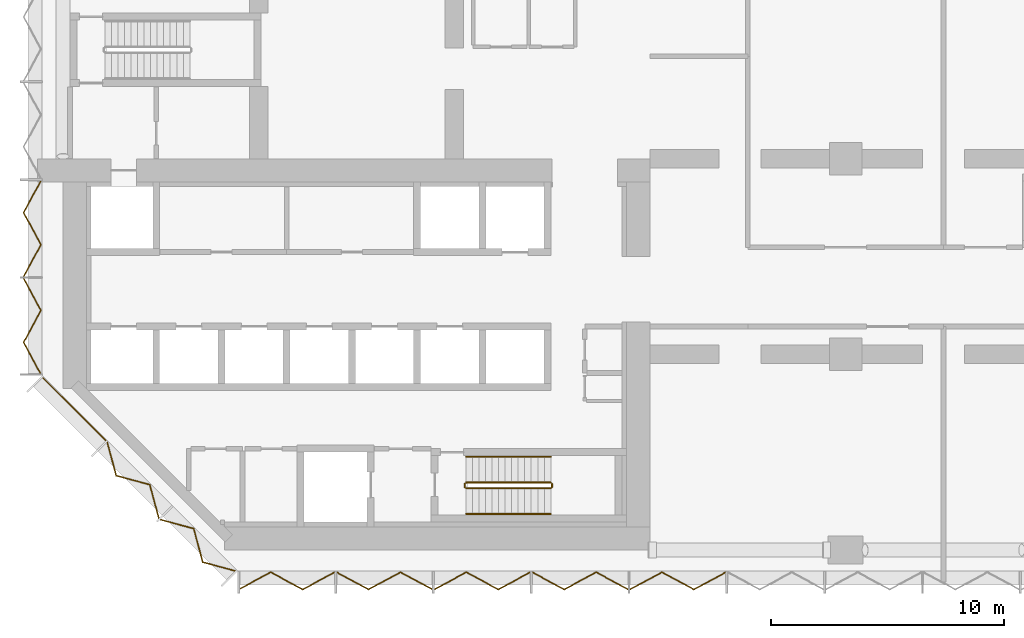
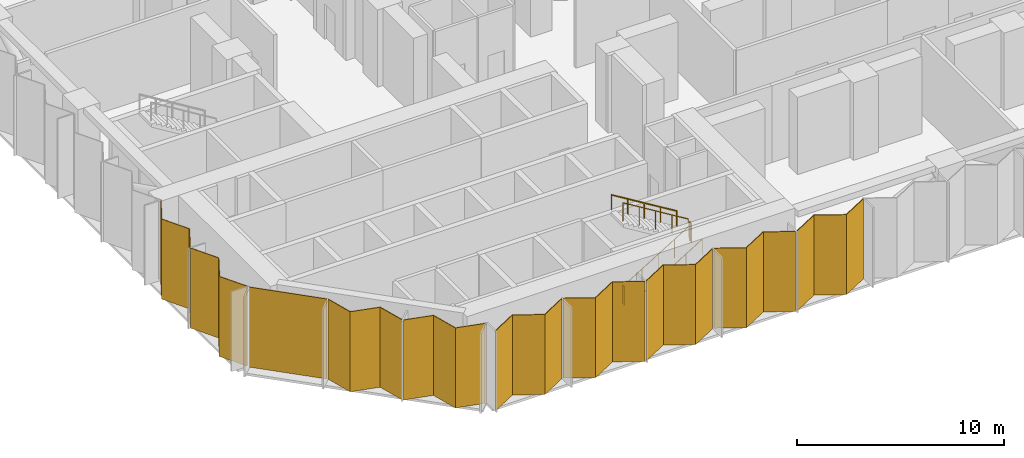
# One storey, part 14 of 18: 10 coverings, 6 railings, 3 elements without a shape of their own.
"""IFC4 building model written with IfcOpenShell, lengths in metres."""

from ifc_helpers import new_model, si_unit, direction, frame, origin, origin_2d, place, context, subcontext, project, spatial, polyline, circle, outline, extrude, material, layer, layer_set, type_object, element, aggregate, save


model = new_model("IFC4")

# Units and contexts
model_context = context("Model", 3, precision=1e-05, world=origin(), true_north=direction((0.0, 1.0)))
body_context = subcontext(model_context, "Body", "Model", "MODEL_VIEW")
ifc_project = project(units=[si_unit("LENGTHUNIT", "METRE"), si_unit("AREAUNIT", "SQUARE_METRE"), si_unit("VOLUMEUNIT", "CUBIC_METRE"), si_unit("PLANEANGLEUNIT", "RADIAN"), si_unit("MASSUNIT", "GRAM", prefix="KILO")], contexts=[model_context])

# Site, building, storey
site_placement = place(None, origin())
site = spatial("IfcSite", under=ifc_project, at=site_placement, CompositionType="ELEMENT")
building_placement = place(site_placement, origin())
building = spatial("IfcBuilding", under=site, at=building_placement, Name="Brevane Broadcast Tower", CompositionType="ELEMENT")
storey_placement = place(building_placement, frame((0.0, 0.0, 86.89990234375)))
storey = spatial("IfcBuildingStorey", under=building, at=storey_placement, Name="L20", CompositionType="ELEMENT", Elevation=86.89990234375)

# Curtain wall, coverings
ifc_material_1 = material(Name="Aluminium 6063-T6 bronze anodised", Category="aluminium")
curtain_wall_type = type_object("IfcCurtainWallType", Name="CW-3 curtain wall", PredefinedType="NOTDEFINED", material=ifc_material_1)
curtain_wall_1_placement = place(storey_placement, origin())
curtain_wall_1 = element("IfcCurtainWall", 1, at=curtain_wall_1_placement, inside=storey, type_object=curtain_wall_type, Name="CW-3 refuge louvre unit L20 south face", PredefinedType="NOTDEFINED")
ifc_material_2 = material(Name="Aluminium bronze anodised cladding", Category="aluminium")
ifc_layer = layer(ifc_material_2, 0.050048828125)
ifc_layer_set = layer_set([ifc_layer], Name="CW refuge spandrel 50")
covering_type = type_object("IfcCoveringType", Name="CW refuge spandrel 50", PredefinedType="CLADDING", material=ifc_layer_set)
covering_1_placement = place(storey_placement, frame((0.0, 0.0, -0.159912109375)))
covering_1 = element("IfcCovering", 2, at=covering_1_placement, type_object=covering_type, Name="Refuge cladding panel", PredefinedType="CLADDING", context=body_context, shape_type="SweptSolid", body=[
    extrude(outline(polyline([(7.5400390625, -1.671630859375), (7.5400390625, -1.717041015625), (8.913330078125, -0.97265625), (10.28662109375, -1.717041015625), (11.659912109375, -0.97265625), (11.659912109375, -0.92724609375), (10.28662109375, -1.671630859375), (8.913330078125, -0.92724609375), (7.5400390625, -1.671630859375)])), origin(), (0.0, 0.0, 1.0), 4.7099609375),
])
covering_2_placement = place(storey_placement, frame((0.0, 0.0, -0.159912109375)))
covering_2 = element("IfcCovering", 3, at=covering_2_placement, type_object=covering_type, Name="Refuge cladding panel", PredefinedType="CLADDING", context=body_context, shape_type="SweptSolid", body=[
    extrude(outline(polyline([(11.739990234375, -0.92724609375), (11.739990234375, -0.97265625), (13.11328125, -1.717041015625), (14.48681640625, -0.97265625), (15.860107421875, -1.717041015625), (15.860107421875, -1.671630859375), (14.48681640625, -0.92724609375), (13.11328125, -1.671630859375), (11.739990234375, -0.92724609375)])), origin(), (0.0, 0.0, 1.0), 4.7099609375),
])
covering_3_placement = place(storey_placement, frame((0.0, 0.0, -0.159912109375)))
covering_3 = element("IfcCovering", 4, at=covering_3_placement, type_object=covering_type, Name="Refuge cladding panel", PredefinedType="CLADDING", context=body_context, shape_type="SweptSolid", body=[
    extrude(outline(polyline([(15.93994140625, -1.671630859375), (15.93994140625, -1.717041015625), (17.313232421875, -0.97265625), (18.686767578125, -1.717041015625), (20.06005859375, -0.97265625), (20.06005859375, -0.92724609375), (18.686767578125, -1.671630859375), (17.313232421875, -0.92724609375), (15.93994140625, -1.671630859375)])), origin(), (0.0, 0.0, 1.0), 4.7099609375),
])
covering_4_placement = place(storey_placement, frame((0.0, 0.0, -0.159912109375)))
covering_4 = element("IfcCovering", 5, at=covering_4_placement, type_object=covering_type, Name="Refuge cladding panel", PredefinedType="CLADDING", context=body_context, shape_type="SweptSolid", body=[
    extrude(outline(polyline([(20.139892578125, -0.92724609375), (20.139892578125, -0.97265625), (21.51318359375, -1.717041015625), (22.88671875, -0.97265625), (24.260009765625, -1.717041015625), (24.260009765625, -1.671630859375), (22.88671875, -0.92724609375), (21.51318359375, -1.671630859375), (20.139892578125, -0.92724609375)])), origin(), (0.0, 0.0, 1.0), 4.7099609375),
])
covering_5_placement = place(storey_placement, frame((0.0, 0.0, -0.159912109375)))
covering_5 = element("IfcCovering", 6, at=covering_5_placement, type_object=covering_type, Name="Refuge cladding panel", PredefinedType="CLADDING", context=body_context, shape_type="SweptSolid", body=[
    extrude(outline(polyline([(24.340087890625, -1.671630859375), (24.340087890625, -1.717041015625), (25.71337890625, -0.97265625), (27.086669921875, -1.717041015625), (28.4599609375, -0.97265625), (28.4599609375, -0.92724609375), (27.086669921875, -1.671630859375), (25.71337890625, -0.92724609375), (24.340087890625, -1.671630859375)])), origin(), (0.0, 0.0, 1.0), 4.7099609375),
])
aggregate(curtain_wall_1, [covering_1, covering_2, covering_3, covering_4, covering_5])

curtain_wall_2_placement = place(storey_placement, origin())
curtain_wall_2 = element("IfcCurtainWall", 7, at=curtain_wall_2_placement, inside=storey, type_object=curtain_wall_type, Name="CW-3 refuge louvre unit L20 west face", PredefinedType="NOTDEFINED")
covering_6_placement = place(storey_placement, frame((0.0, 0.0, -0.159912109375)))
covering_6 = element("IfcCovering", 8, at=covering_6_placement, type_object=covering_type, Name="Refuge cladding panel", PredefinedType="CLADDING", context=body_context, shape_type="SweptSolid", body=[
    extrude(outline(polyline([(-0.92724609375, 15.860107421875), (-0.97265625, 15.860107421875), (-1.717041015625, 14.48681640625), (-0.97265625, 13.11328125), (-1.717041015625, 11.739990234375), (-1.671630859375, 11.739990234375), (-0.92724609375, 13.11328125), (-1.671630859375, 14.48681640625), (-0.92724609375, 15.860107421875)])), origin(), (0.0, 0.0, 1.0), 4.7099609375),
])
covering_7_placement = place(storey_placement, frame((0.0, 0.0, -0.159912109375)))
covering_7 = element("IfcCovering", 9, at=covering_7_placement, type_object=covering_type, Name="Refuge cladding panel", PredefinedType="CLADDING", context=body_context, shape_type="SweptSolid", body=[
    extrude(outline(polyline([(-1.671630859375, 11.659912109375), (-1.717041015625, 11.659912109375), (-0.97265625, 10.28662109375), (-1.717041015625, 8.913330078125), (-0.97265625, 7.5400390625), (-0.92724609375, 7.5400390625), (-1.671630859375, 8.913330078125), (-0.92724609375, 10.28662109375), (-1.671630859375, 11.659912109375)])), origin(), (0.0, 0.0, 1.0), 4.7099609375),
])
aggregate(curtain_wall_2, [covering_6, covering_7])

curtain_wall_3_placement = place(storey_placement, origin())
curtain_wall_3 = element("IfcCurtainWall", 10, at=curtain_wall_3_placement, inside=storey, type_object=curtain_wall_type, Name="CW-3 refuge louvre unit L20 south-west chamfer", PredefinedType="NOTDEFINED")
covering_8_placement = place(storey_placement, frame((0.0, 0.0, -0.159912109375)))
covering_8 = element("IfcCovering", 11, at=covering_8_placement, type_object=covering_type, Name="Refuge cladding panel", PredefinedType="CLADDING", context=body_context, shape_type="SweptSolid", body=[
    extrude(outline(polyline([(-0.892822265625, 7.450439453125), (1.8505859375, 4.70703125), (1.822265625, 4.6787109375), (-0.921142578125, 7.422119140625), (-0.892822265625, 7.450439453125)])), origin(), (0.0, 0.0, 1.0), 4.7099609375),
])
covering_9_placement = place(storey_placement, frame((0.0, 0.0, -0.159912109375)))
covering_9 = element("IfcCovering", 12, at=covering_9_placement, type_object=covering_type, Name="Refuge cladding panel", PredefinedType="CLADDING", context=body_context, shape_type="SweptSolid", body=[
    extrude(outline(polyline([(1.9091796875, 4.652587890625), (1.876708984375, 4.6201171875), (2.2646484375, 3.17919921875), (3.70556640625, 2.791015625), (4.09375, 1.35009765625), (4.126220703125, 1.3828125), (3.73828125, 2.82373046875), (2.29736328125, 3.2119140625), (1.9091796875, 4.652587890625)])), origin(), (0.0, 0.0, 1.0), 4.7099609375),
])
covering_10_placement = place(storey_placement, frame((0.0, 0.0, -0.159912109375)))
covering_10 = element("IfcCovering", 13, at=covering_10_placement, type_object=covering_type, Name="Refuge cladding panel", PredefinedType="CLADDING", context=body_context, shape_type="SweptSolid", body=[
    extrude(outline(polyline([(4.182861328125, 1.326416015625), (4.150146484375, 1.293701171875), (5.591064453125, 0.905517578125), (5.979248046875, -0.535400390625), (7.419921875, -0.92333984375), (7.45263671875, -0.890869140625), (6.01171875, -0.502685546875), (5.623779296875, 0.938232421875), (4.182861328125, 1.326416015625)])), origin(), (0.0, 0.0, 1.0), 4.7099609375),
])
aggregate(curtain_wall_3, [covering_8, covering_9, covering_10])

# Railings
ifc_material_3 = material(Name="Steel S355", Category="steel")
railing_type_1 = type_object("IfcRailingType", Name="Exit stair guard", PredefinedType="GUARDRAIL", material=ifc_material_3)
railing_1_placement = place(storey_placement, frame((17.300048828125, 2.64990234375, 0.171630859375)))
element("IfcRailing", 14, at=railing_1_placement, inside=storey, type_object=railing_type_1, Name="L20 ST-2 stair guard 1", PredefinedType="GUARDRAIL", context=body_context, shape_type="SweptSolid", body=[
    extrude(circle(Radius=0.02392578125, at=origin_2d()), frame((0.0, 0.0, 1.076171875), z_axis=(0.852850264322, 0.0, 0.5221555579), x_axis=(0.0, 1.0, 0.0)), (0.0, 0.0, 1.0), 4.267822265625),
    extrude(circle(Radius=0.02099609375, at=origin_2d()), origin(), (0.0, 0.0, 1.0), 1.052001953125),
    extrude(circle(Radius=0.02099609375, at=origin_2d()), frame((0.909912109375, 0.0, 0.55712890625)), (0.0, 0.0, 1.0), 1.052001953125),
    extrude(circle(Radius=0.02099609375, at=origin_2d()), frame((1.81982421875, 0.0, 1.1142578125)), (0.0, 0.0, 1.0), 1.052001953125),
    extrude(circle(Radius=0.02099609375, at=origin_2d()), frame((2.72998046875, 0.0, 1.67138671875)), (0.0, 0.0, 1.0), 1.052001953125),
    extrude(circle(Radius=0.02099609375, at=origin_2d()), frame((3.639892578125, 0.0, 2.228515625)), (0.0, 0.0, 1.0), 1.052001953125),
])
railing_2_placement = place(storey_placement, frame((20.989990234375, 2.699951171875, 2.400146484375)))
element("IfcRailing", 15, at=railing_2_placement, inside=storey, type_object=railing_type_1, Name="L20 ST-2 stair guard 2", PredefinedType="GUARDRAIL", context=body_context, shape_type="SweptSolid", body=[
    extrude(circle(Radius=0.02392578125, at=origin_2d()), frame((0.0, 0.0, 1.076171875), z_axis=(0.0, 1.0, 0.0), x_axis=(-1.0, 0.0, 0.0)), (0.0, 0.0, 1.0), 0.150146484375),
    extrude(circle(Radius=0.02099609375, at=origin_2d()), origin(), (0.0, 0.0, 1.0), 1.052001953125),
    extrude(circle(Radius=0.02099609375, at=origin_2d()), frame((0.0, 0.150146484375, 0.0)), (0.0, 0.0, 1.0), 1.052001953125),
])
railing_3_placement = place(storey_placement, frame((20.93994140625, 2.89990234375, 2.571533203125)))
element("IfcRailing", 16, at=railing_3_placement, inside=storey, type_object=railing_type_1, Name="L20 ST-2 stair guard 3", PredefinedType="GUARDRAIL", context=body_context, shape_type="SweptSolid", body=[
    extrude(circle(Radius=0.02392578125, at=origin_2d()), frame((0.0, 0.0, 1.076171875), z_axis=(-0.852850264322, 0.0, 0.5221555579), x_axis=(0.0, -1.0, 0.0)), (0.0, 0.0, 1.0), 4.267822265625),
    extrude(circle(Radius=0.02099609375, at=origin_2d()), origin(), (0.0, 0.0, 1.0), 1.052001953125),
    extrude(circle(Radius=0.02099609375, at=origin_2d()), frame((-0.909912109375, 0.0, 0.55712890625)), (0.0, 0.0, 1.0), 1.052001953125),
    extrude(circle(Radius=0.02099609375, at=origin_2d()), frame((-1.81982421875, 0.0, 1.1142578125)), (0.0, 0.0, 1.0), 1.052001953125),
    extrude(circle(Radius=0.02099609375, at=origin_2d()), frame((-2.72998046875, 0.0, 1.67138671875)), (0.0, 0.0, 1.0), 1.052001953125),
    extrude(circle(Radius=0.02099609375, at=origin_2d()), frame((-3.639892578125, 0.0, 2.228515625)), (0.0, 0.0, 1.0), 1.052001953125),
])
railing_4_placement = place(storey_placement, frame((17.25, 2.699951171875, 0.0)))
element("IfcRailing", 17, at=railing_4_placement, inside=storey, type_object=railing_type_1, Name="L20 ST-2 stair guard 4", PredefinedType="GUARDRAIL", context=body_context, shape_type="SweptSolid", body=[
    extrude(circle(Radius=0.02392578125, at=origin_2d()), frame((0.0, 0.0, 1.076171875), z_axis=(0.0, 1.0, 0.0), x_axis=(-1.0, 0.0, 0.0)), (0.0, 0.0, 1.0), 0.150146484375),
    extrude(circle(Radius=0.02099609375, at=origin_2d()), origin(), (0.0, 0.0, 1.0), 1.052001953125),
    extrude(circle(Radius=0.02099609375, at=origin_2d()), frame((0.0, 0.150146484375, 0.0)), (0.0, 0.0, 1.0), 1.052001953125),
])
railing_type_2 = type_object("IfcRailingType", Name="Exit stair handrail", PredefinedType="HANDRAIL", material=ifc_material_3)
railing_5_placement = place(storey_placement, frame((17.300048828125, 1.550048828125, 0.171630859375)))
element("IfcRailing", 18, at=railing_5_placement, inside=storey, type_object=railing_type_2, Name="L20 ST-2 stair handrail 1", PredefinedType="HANDRAIL", context=body_context, shape_type="SweptSolid", body=[
    extrude(circle(Radius=0.02392578125, at=origin_2d()), frame((0.0, 0.0, 0.8759765625), z_axis=(0.852850264322, 0.0, 0.5221555579), x_axis=(0.0, 1.0, 0.0)), (0.0, 0.0, 1.0), 4.267822265625),
    extrude(circle(Radius=0.02099609375, at=origin_2d()), origin(), (0.0, 0.0, 1.0), 0.851806640625),
    extrude(circle(Radius=0.02099609375, at=origin_2d()), frame((0.909912109375, 0.0, 0.55712890625)), (0.0, 0.0, 1.0), 0.851806640625),
    extrude(circle(Radius=0.02099609375, at=origin_2d()), frame((1.81982421875, 0.0, 1.1142578125)), (0.0, 0.0, 1.0), 0.851806640625),
    extrude(circle(Radius=0.02099609375, at=origin_2d()), frame((2.72998046875, 0.0, 1.67138671875)), (0.0, 0.0, 1.0), 0.851806640625),
    extrude(circle(Radius=0.02099609375, at=origin_2d()), frame((3.639892578125, 0.0, 2.228515625)), (0.0, 0.0, 1.0), 0.851806640625),
])
railing_6_placement = place(storey_placement, frame((20.93994140625, 4.0, 2.571533203125)))
element("IfcRailing", 19, at=railing_6_placement, inside=storey, type_object=railing_type_2, Name="L20 ST-2 stair handrail 2", PredefinedType="HANDRAIL", context=body_context, shape_type="SweptSolid", body=[
    extrude(circle(Radius=0.02392578125, at=origin_2d()), frame((0.0, 0.0, 0.8759765625), z_axis=(-0.852850264322, 0.0, 0.5221555579), x_axis=(0.0, -1.0, 0.0)), (0.0, 0.0, 1.0), 4.267822265625),
    extrude(circle(Radius=0.02099609375, at=origin_2d()), origin(), (0.0, 0.0, 1.0), 0.851806640625),
    extrude(circle(Radius=0.02099609375, at=origin_2d()), frame((-0.909912109375, 0.0, 0.55712890625)), (0.0, 0.0, 1.0), 0.851806640625),
    extrude(circle(Radius=0.02099609375, at=origin_2d()), frame((-1.81982421875, 0.0, 1.1142578125)), (0.0, 0.0, 1.0), 0.851806640625),
    extrude(circle(Radius=0.02099609375, at=origin_2d()), frame((-2.72998046875, 0.0, 1.67138671875)), (0.0, 0.0, 1.0), 0.851806640625),
    extrude(circle(Radius=0.02099609375, at=origin_2d()), frame((-3.639892578125, 0.0, 2.228515625)), (0.0, 0.0, 1.0), 0.851806640625),
])

save(model, "model.ifc")
